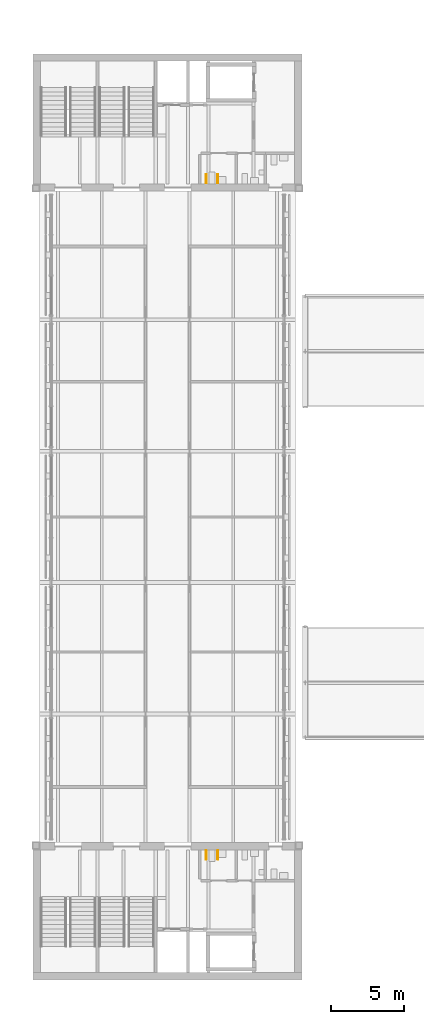
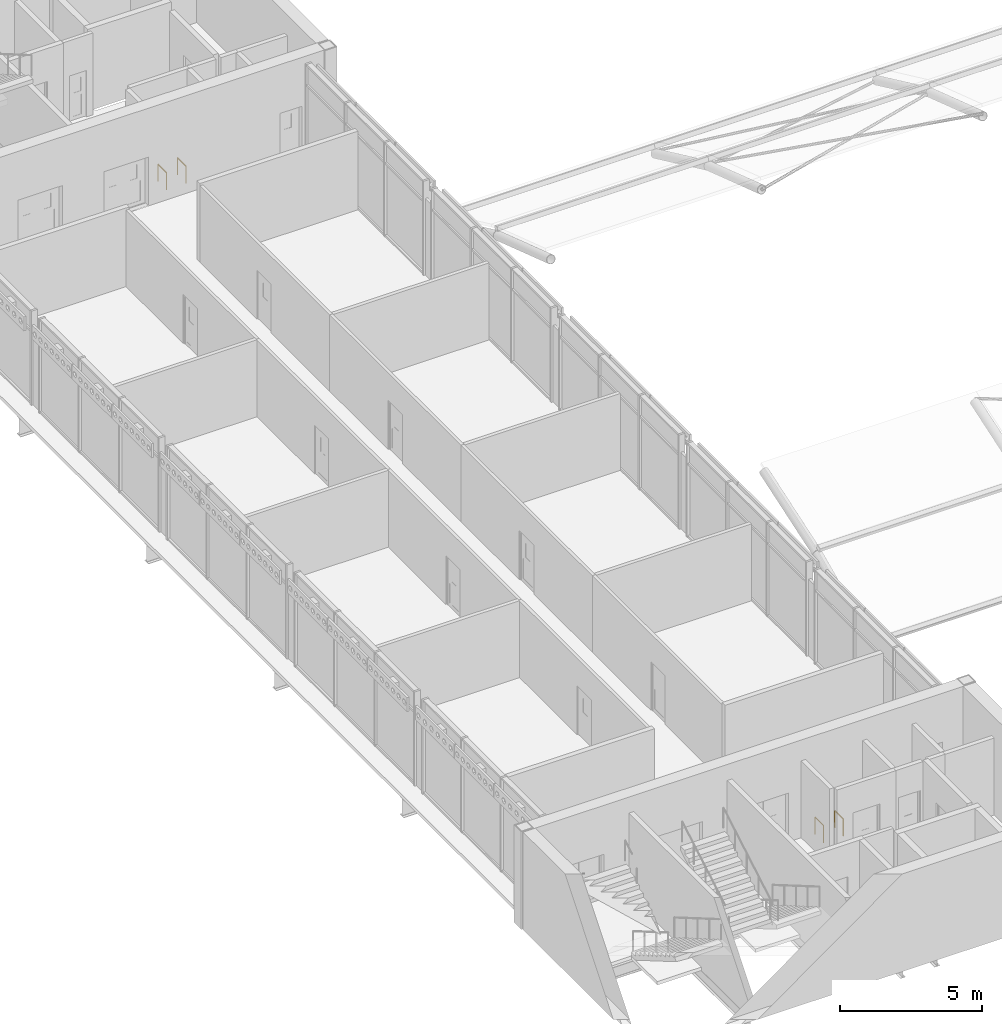
# One storey, part 52 of 54: 4 railings.
"""IFC4 building model written with IfcOpenShell, lengths in metres."""

from ifc_helpers import new_model, si_unit, direction, frame, origin, origin_2d, place, context, subcontext, project, spatial, circle, extrude, material, type_object, element, save


model = new_model("IFC4")

# Units and contexts
model_context = context("Model", 3, precision=1e-05, world=origin(), true_north=direction((0.0, 1.0)))
body_context = subcontext(model_context, "Body", "Model", "MODEL_VIEW")
ifc_project = project(units=[si_unit("LENGTHUNIT", "METRE"), si_unit("AREAUNIT", "SQUARE_METRE"), si_unit("VOLUMEUNIT", "CUBIC_METRE"), si_unit("PLANEANGLEUNIT", "RADIAN"), si_unit("MASSUNIT", "GRAM", prefix="KILO")], contexts=[model_context])

# Site, building, storey
site_placement = place(None, origin())
site = spatial("IfcSite", under=ifc_project, at=site_placement, CompositionType="ELEMENT")
building_placement = place(site_placement, origin())
building = spatial("IfcBuilding", under=site, at=building_placement, Name="Baradari Gate Terminus", CompositionType="ELEMENT")
storey_placement = place(building_placement, frame((0.0, 0.0, 15.89990234375)))
storey = spatial("IfcBuildingStorey", under=building, at=storey_placement, Name="L03", CompositionType="ELEMENT", Elevation=15.89990234375)

# Railings
ifc_material = material(Name="Stainless steel 1.4301", Category="steel")
railing_type = type_object("IfcRailingType", Name="Grab rail GB-1 750", PredefinedType="HANDRAIL", material=ifc_material)
for number, where, name in (
    (1, (83.64990234375, 81.35009765625, 0.0), "Grab rail Accessible WC"),
    (2, (84.449951171875, 81.35009765625, 0.0), "Grab rail Accessible WC"),
):
    element("IfcRailing", number, at=place(storey_placement, frame(where)), inside=storey, type_object=railing_type, Name=name, PredefinedType="HANDRAIL", context=body_context, shape_type="SweptSolid", body=[
        extrude(circle(Radius=0.02392578125, at=origin_2d()), frame((0.0, 0.0, 0.72607421875), z_axis=(0.0, 1.0, 0.0), x_axis=(-1.0, 0.0, 0.0)), (0.0, 0.0, 1.0), 0.599853515625),
        extrude(circle(Radius=0.02099609375, at=origin_2d()), origin(), (0.0, 0.0, 1.0), 0.701904296875),
        extrude(circle(Radius=0.02099609375, at=origin_2d()), frame((0.0, 0.599853515625, 0.0)), (0.0, 0.0, 1.0), 0.701904296875),
    ])
for number, where, name in (
    (3, (83.64990234375, 35.64990234375, 0.0), "Grab rail Accessible WC"),
    (4, (84.449951171875, 35.64990234375, 0.0), "Grab rail Accessible WC"),
):
    element("IfcRailing", number, at=place(storey_placement, frame(where)), inside=storey, type_object=railing_type, Name=name, PredefinedType="HANDRAIL", context=body_context, shape_type="SweptSolid", body=[
        extrude(circle(Radius=0.02392578125, at=origin_2d()), frame((0.0, 0.0, 0.72607421875), z_axis=(0.0, -1.0, 0.0), x_axis=(1.0, 0.0, 0.0)), (0.0, 0.0, 1.0), 0.599853515625),
        extrude(circle(Radius=0.02099609375, at=origin_2d()), origin(), (0.0, 0.0, 1.0), 0.701904296875),
        extrude(circle(Radius=0.02099609375, at=origin_2d()), frame((0.0, -0.599853515625, 0.0)), (0.0, 0.0, 1.0), 0.701904296875),
    ])

save(model, "model.ifc")
